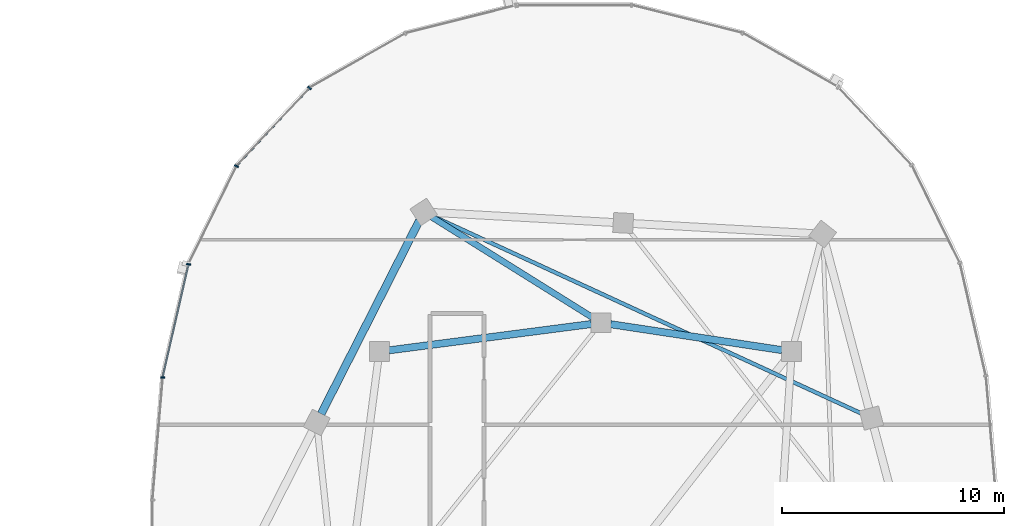
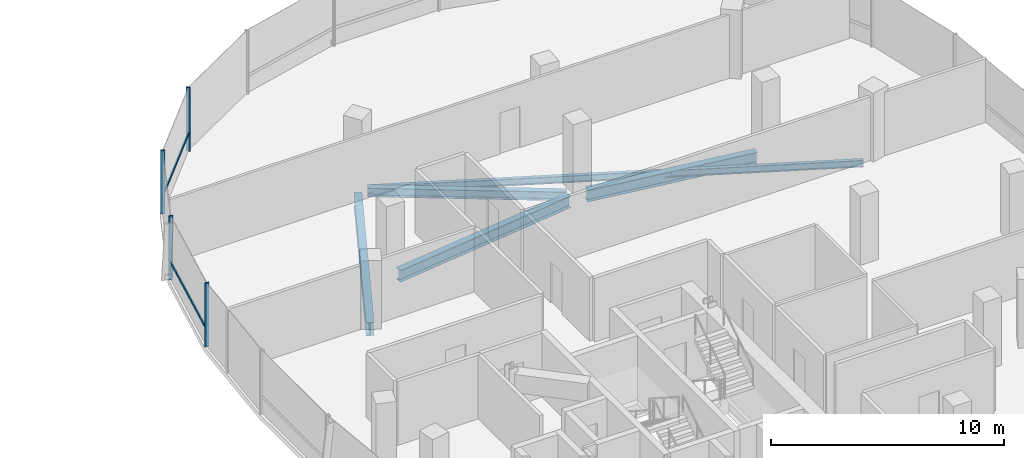
# One storey, part 11 of 25: 6 members, 5 beams, 1 element without a shape of its own.
"""IFC4 building model written with IfcOpenShell, lengths in metres."""

from ifc_helpers import new_model, si_unit, direction, frame, origin, origin_2d, place, context, subcontext, project, spatial, rectangle, i_section, extrude, material, material_profile, profile_set, type_object, element, aggregate, save


model = new_model("IFC4")

# Units and contexts
model_context = context("Model", 3, precision=1e-05, world=origin(), true_north=direction((0.0, 1.0)))
body_context = subcontext(model_context, "Body", "Model", "MODEL_VIEW")
ifc_project = project(units=[si_unit("LENGTHUNIT", "METRE"), si_unit("AREAUNIT", "SQUARE_METRE"), si_unit("VOLUMEUNIT", "CUBIC_METRE"), si_unit("PLANEANGLEUNIT", "RADIAN"), si_unit("MASSUNIT", "GRAM", prefix="KILO"), si_unit("THERMODYNAMICTEMPERATUREUNIT", "KELVIN"), si_unit("POWERUNIT", "WATT")], contexts=[model_context])

# Site, building, storey
site_placement = place(None, origin())
site = spatial("IfcSite", under=ifc_project, at=site_placement, CompositionType="ELEMENT")
building_placement = place(site_placement, origin())
building = spatial("IfcBuilding", under=site, at=building_placement, Name="Cundina Bronze Exchange", CompositionType="ELEMENT")
storey_placement = place(building_placement, frame((0.0, 0.0, 220.60009765625)))
storey = spatial("IfcBuildingStorey", under=building, at=storey_placement, Name="L58", CompositionType="ELEMENT", Elevation=220.60009765625)

# Beams
ifc_material_1 = material(Name="Steel ASTM A992 Grade 50", Category="steel")
ifc_material_profile_1 = material_profile(ifc_material_1, i_section(OverallWidth=0.280029296875, OverallDepth=0.462890625, WebThickness=0.0107421875, FlangeThickness=0.017333984375, FilletRadius=0.011962890625, at=origin_2d()), Name="W18X76", Category="steel")
ifc_profile_set_1 = profile_set([ifc_material_profile_1], Name="Steel ASTM A992 Grade 50")
beam_type_1 = type_object("IfcBeamType", Name="BM-FLR-W18A", PredefinedType="BEAM", material=ifc_profile_set_1)
beam_1_placement = place(storey_placement, frame((32.82861328125, 11.031982421875, -0.49169921875), z_axis=(-0.847995098703, 0.530004068452, 0.0), x_axis=(-0.530004068452, -0.847995098703, 0.0)))
element("IfcBeam", 1, at=beam_1_placement, inside=storey, type_object=beam_type_1, Name="L58 Leg E Chordal Floor Beam 12", PredefinedType="BEAM", context=body_context, shape_type="SweptSolid", body=[
    extrude(i_section(OverallWidth=0.280029296875, OverallDepth=0.462890625, WebThickness=0.0107421875, FlangeThickness=0.017333984375, FilletRadius=0.011962890625, at=origin_2d()), origin(), (0.0, 0.0, 1.0), 8.55810546875),
])
ifc_material_profile_2 = material_profile(ifc_material_1, i_section(OverallWidth=0.172119140625, OverallDepth=0.35791015625, WebThickness=0.0078125, FlangeThickness=0.01318359375, FilletRadius=0.010009765625, at=origin_2d()), Name="W14X38", Category="steel")
ifc_profile_set_2 = profile_set([ifc_material_profile_2], Name="Steel ASTM A992 Grade 50")
beam_type_2 = type_object("IfcBeamType", Name="BM-JST-W14", PredefinedType="JOIST", material=ifc_profile_set_2)
beam_2_placement = place(storey_placement, frame((45.002197265625, 6.68310546875, -0.439208984375), z_axis=(-0.908355026127, 0.418199888224, 0.0), x_axis=(-0.418199888224, -0.908355026127, 0.0)))
element("IfcBeam", 2, at=beam_2_placement, inside=storey, type_object=beam_type_2, Name="L58 Leg E Lobe Floor Joist 09-12", PredefinedType="JOIST", context=body_context, shape_type="SweptSolid", body=[
    extrude(i_section(OverallWidth=0.172119140625, OverallDepth=0.35791015625, WebThickness=0.0078125, FlangeThickness=0.01318359375, FilletRadius=0.010009765625, at=origin_2d()), origin(), (0.0, 0.0, 1.0), 21.362060546875),
])
ifc_material_profile_3 = material_profile(ifc_material_1, i_section(OverallWidth=0.324951171875, OverallDepth=0.615966796875, WebThickness=0.013916015625, FlangeThickness=0.021484375, FilletRadius=0.01611328125, at=origin_2d()), Name="W24X117", Category="steel")
ifc_profile_set_3 = profile_set([ifc_material_profile_3], Name="Steel ASTM A992 Grade 50")
beam_type_3 = type_object("IfcBeamType", Name="BM-RING-W24", PredefinedType="USERDEFINED", material=ifc_profile_set_3)
beam_3_placement = place(storey_placement, frame((41.366943359375, 9.5654296875, -0.568115234375), z_axis=(-0.988764903598, 0.149478979839, 0.0), x_axis=(-0.149478979839, -0.988764903598, 0.0)))
element("IfcBeam", 3, at=beam_3_placement, inside=storey, type_object=beam_type_3, Name="L58 E Inner Structural Ring Girder 05", ObjectType="GIRDER", PredefinedType="USERDEFINED", context=body_context, shape_type="SweptSolid", body=[
    extrude(i_section(OverallWidth=0.324951171875, OverallDepth=0.615966796875, WebThickness=0.013916015625, FlangeThickness=0.021484375, FilletRadius=0.01611328125, at=origin_2d()), origin(), (0.0, 0.0, 1.0), 7.82177734375),
])
beam_4_placement = place(storey_placement, frame((32.765625, 10.743408203125, -0.568115234375), z_axis=(-0.991656498582, -0.128908451316, 0.0), x_axis=(0.128908451316, -0.991656498582, 0.0)))
element("IfcBeam", 4, at=beam_4_placement, inside=storey, type_object=beam_type_3, Name="L58 E Inner Structural Ring Girder 06", ObjectType="GIRDER", PredefinedType="USERDEFINED", context=body_context, shape_type="SweptSolid", body=[
    extrude(i_section(OverallWidth=0.324951171875, OverallDepth=0.615966796875, WebThickness=0.013916015625, FlangeThickness=0.021484375, FilletRadius=0.01611328125, at=origin_2d()), origin(), (0.0, 0.0, 1.0), 9.208251953125),
])
ifc_material_profile_4 = material_profile(ifc_material_1, i_section(OverallWidth=0.35498046875, OverallDepth=0.695068359375, WebThickness=0.015380859375, FlangeThickness=0.02490234375, FilletRadius=0.01806640625, at=origin_2d()), Name="W27X146", Category="steel")
ifc_profile_set_4 = profile_set([ifc_material_profile_4], Name="Steel ASTM A992 Grade 50")
beam_type_4 = type_object("IfcBeamType", Name="BM-RING-W27", PredefinedType="USERDEFINED", material=ifc_profile_set_4)
beam_5_placement = place(storey_placement, frame((25.001708984375, 15.409423828125, -0.607666015625), z_axis=(-0.452846871434, -0.891588308039, 0.0), x_axis=(0.891588308039, -0.452846871434, 0.0)))
element("IfcBeam", 5, at=beam_5_placement, inside=storey, type_object=beam_type_4, Name="L58 E Perimeter Ring Girder 12", ObjectType="GIRDER", PredefinedType="USERDEFINED", context=body_context, shape_type="SweptSolid", body=[
    extrude(i_section(OverallWidth=0.35498046875, OverallDepth=0.695068359375, WebThickness=0.015380859375, FlangeThickness=0.02490234375, FilletRadius=0.01806640625, at=origin_2d()), origin(), (0.0, 0.0, 1.0), 9.779052734375),
])

# Curtain wall, members
ifc_material_2 = material(Name="Anodised Bronze Aluminium 6063-T6", Category="aluminium")
curtain_wall_type = type_object("IfcCurtainWallType", Name="CWS-UPP-OFF", PredefinedType="NOTDEFINED", material=ifc_material_2)
curtain_wall_placement = place(storey_placement, origin())
curtain_wall = element("IfcCurtainWall", 6, at=curtain_wall_placement, inside=storey, type_object=curtain_wall_type, Name="L58 CW-05 Curtain Wall Run CWR-L58-E2", PredefinedType="NOTDEFINED")
ifc_material_profile_5 = material_profile(ifc_material_2, rectangle(XDim=0.070068359375, YDim=0.18994140625, at=origin_2d()), Name="AL70X190", Category="aluminium")
ifc_profile_set_5 = profile_set([ifc_material_profile_5], Name="Anodised Bronze Aluminium 6063-T6")
member_type_1 = type_object("IfcMemberType", Name="CWM-MUL-190", PredefinedType="MULLION", material=ifc_profile_set_5)
member_1_placement = place(storey_placement, frame((20.05126953125, 21.392578125, 0.0), z_axis=(0.0, 0.0, 1.0), x_axis=(-0.684292606175, -0.729207535023, 0.0)))
member_1 = element("IfcMember", 7, at=member_1_placement, type_object=member_type_1, Name="CW-05 Mullion 3", PredefinedType="MULLION", context=body_context, shape_type="SweptSolid", body=[
    extrude(rectangle(XDim=0.070068359375, YDim=0.18994140625, at=origin_2d()), origin(), (0.0, 0.0, 1.0), 3.33984375),
])
member_2_placement = place(storey_placement, frame((16.754638671875, 17.866455078125, 0.0), z_axis=(0.0, 0.0, 1.0), x_axis=(-0.440566004113, -0.897720221461, 0.0)))
member_2 = element("IfcMember", 8, at=member_2_placement, type_object=member_type_1, Name="CW-05 Mullion 4", PredefinedType="MULLION", context=body_context, shape_type="SweptSolid", body=[
    extrude(rectangle(XDim=0.070068359375, YDim=0.18994140625, at=origin_2d()), origin(), (0.0, 0.0, 1.0), 3.33984375),
])
member_3_placement = place(storey_placement, frame((14.59228515625, 13.440673828125, 0.0), z_axis=(0.0, 0.0, 1.0), x_axis=(-0.223250116011, -0.974761194191, 0.0)))
member_3 = element("IfcMember", 9, at=member_3_placement, type_object=member_type_1, Name="CW-05 Mullion 5", PredefinedType="MULLION", context=body_context, shape_type="SweptSolid", body=[
    extrude(rectangle(XDim=0.070068359375, YDim=0.18994140625, at=origin_2d()), origin(), (0.0, 0.0, 1.0), 3.33984375),
])
member_4_placement = place(storey_placement, frame((13.427490234375, 8.33056640625, 0.0), z_axis=(0.0, 0.0, 1.0), x_axis=(-0.083677843332, -0.99649285925, 0.0)))
member_4 = element("IfcMember", 10, at=member_4_placement, type_object=member_type_1, Name="CW-05 Mullion 6", PredefinedType="MULLION", context=body_context, shape_type="SweptSolid", body=[
    extrude(rectangle(XDim=0.070068359375, YDim=0.18994140625, at=origin_2d()), origin(), (0.0, 0.0, 1.0), 3.33984375),
])
ifc_material_profile_6 = material_profile(ifc_material_2, rectangle(XDim=0.06494140625, YDim=0.14990234375, at=origin_2d()), Name="AL65X150", Category="aluminium")
ifc_profile_set_6 = profile_set([ifc_material_profile_6], Name="Anodised Bronze Aluminium 6063-T6")
member_type_2 = type_object("IfcMemberType", Name="CWM-TRN-150", PredefinedType="USERDEFINED", material=ifc_profile_set_6)
member_5_placement = place(storey_placement, frame((20.02490234375, 21.364501953125, 0.919921875), z_axis=(-0.684336416554, -0.729166420633, 0.0), x_axis=(0.729166420633, -0.684336416554, 0.0)))
member_5 = element("IfcMember", 11, at=member_5_placement, type_object=member_type_2, Name="CW-05 Spandrel Transom 3", ObjectType="TRANSOM", PredefinedType="USERDEFINED", context=body_context, shape_type="SweptSolid", body=[
    extrude(rectangle(XDim=0.06494140625, YDim=0.14990234375, at=origin_2d()), origin(), (0.0, 0.0, 1.0), 4.76513671875),
])
member_6_placement = place(storey_placement, frame((14.58349609375, 13.403076171875, 0.919921875), z_axis=(-0.22328343579, -0.974753562344, 0.0), x_axis=(0.974753562344, -0.22328343579, 0.0)))
member_6 = element("IfcMember", 12, at=member_6_placement, type_object=member_type_2, Name="CW-05 Spandrel Transom 5", ObjectType="TRANSOM", PredefinedType="USERDEFINED", context=body_context, shape_type="SweptSolid", body=[
    extrude(rectangle(XDim=0.06494140625, YDim=0.14990234375, at=origin_2d()), origin(), (0.0, 0.0, 1.0), 5.159912109375),
])
aggregate(curtain_wall, [member_1, member_5, member_2, member_3, member_6, member_4])

save(model, "model.ifc")
